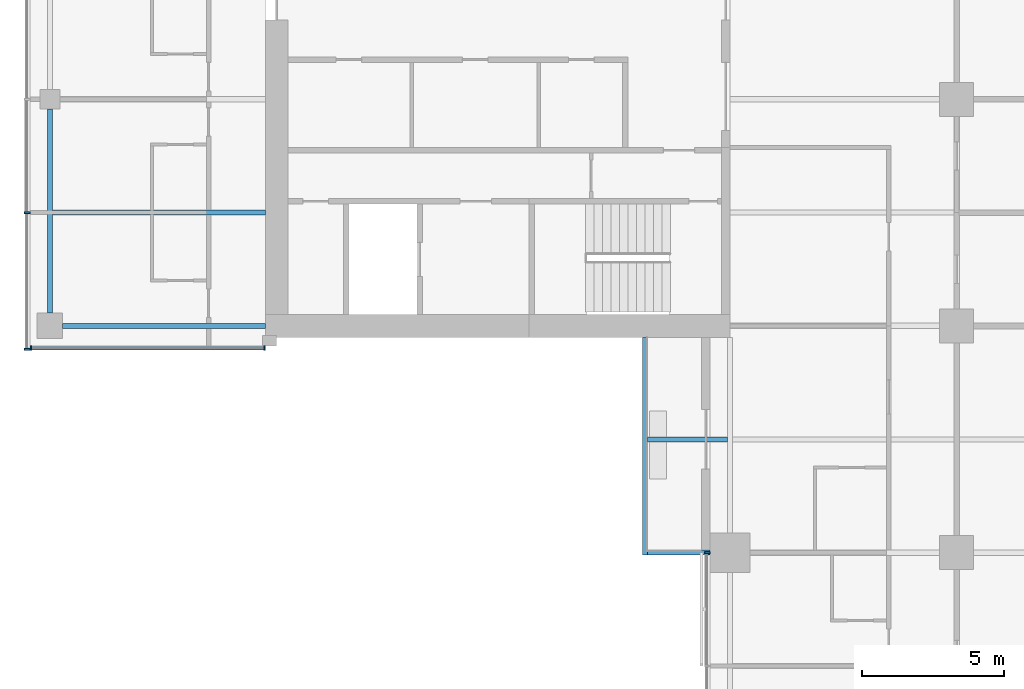
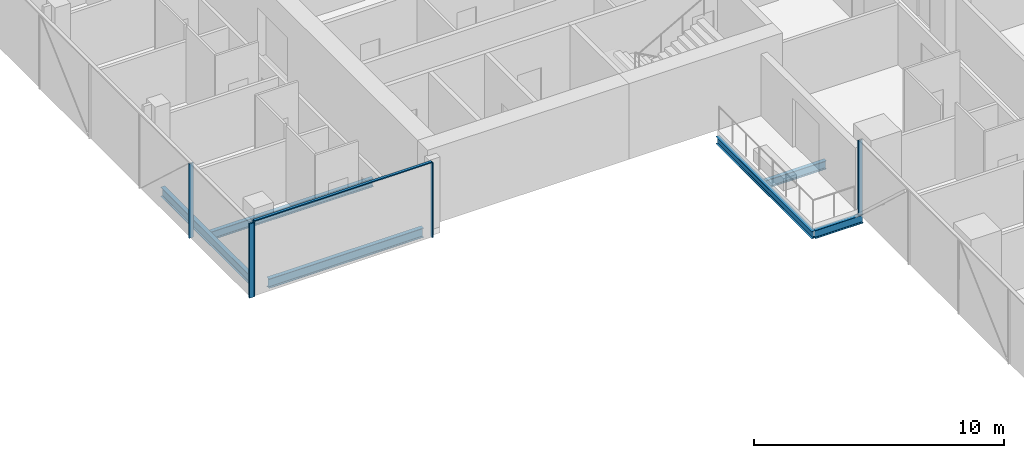
# One storey, part 3 of 27: 6 beams, 6 members, 3 elements without a shape of their own.
"""IFC4 building model written with IfcOpenShell, lengths in metres."""

from ifc_helpers import new_model, si_unit, direction, frame, origin, origin_2d, place, context, subcontext, project, spatial, rectangle, i_section, extrude, material, material_profile, profile_set, type_object, element, aggregate, save


model = new_model("IFC4")

# Units and contexts
model_context = context("Model", 3, precision=1e-05, world=origin(), true_north=direction((0.0, 1.0)))
body_context = subcontext(model_context, "Body", "Model", "MODEL_VIEW")
ifc_project = project(units=[si_unit("LENGTHUNIT", "METRE"), si_unit("AREAUNIT", "SQUARE_METRE"), si_unit("VOLUMEUNIT", "CUBIC_METRE"), si_unit("PLANEANGLEUNIT", "RADIAN"), si_unit("MASSUNIT", "GRAM", prefix="KILO")], contexts=[model_context])

# Site, building, storey
site_placement = place(None, origin())
site = spatial("IfcSite", under=ifc_project, at=site_placement, CompositionType="ELEMENT")
building_placement = place(site_placement, origin())
building = spatial("IfcBuilding", under=site, at=building_placement, Name="Crosswind Convention Tower", CompositionType="ELEMENT")
storey_placement = place(building_placement, frame((0.0, 0.0, 68.300048828125)))
storey = spatial("IfcBuildingStorey", under=building, at=storey_placement, Name="L11", CompositionType="ELEMENT", Elevation=68.300048828125)

# Beams
ifc_material_1 = material(Name="Steel S355", Category="steel")
ifc_material_profile_1 = material_profile(ifc_material_1, i_section(OverallWidth=0.177734375, OverallDepth=0.406494140625, WebThickness=0.0078125, FlangeThickness=0.0126953125, FilletRadius=0.01025390625, at=origin_2d()), Name="UB 406x178x60")
ifc_profile_set_1 = profile_set([ifc_material_profile_1], Name="Steel S355")
beam_type_1 = type_object("IfcBeamType", Name="Balcony cantilever UB 406x178x60", PredefinedType="BEAM", material=ifc_profile_set_1)
beam_1_placement = place(storey_placement, frame((112.90478515625, 84.0, -0.483154296875), z_axis=(-1.0, 0.0, 0.0), x_axis=(0.0, -1.0, 0.0)))
element("IfcBeam", 1, at=beam_1_placement, inside=storey, type_object=beam_type_1, Name="B35 L11 balcony cantilever SW 7", PredefinedType="BEAM", context=body_context, shape_type="SweptSolid", body=[
    extrude(i_section(OverallWidth=0.177734375, OverallDepth=0.406494140625, WebThickness=0.0078125, FlangeThickness=0.0126953125, FilletRadius=0.01025390625, at=origin_2d()), origin(), (0.0, 0.0, 1.0), 2.8193359375),
])
beam_2_placement = place(storey_placement, frame((112.300048828125, 80.0, -0.483154296875), z_axis=(-1.0, 0.0, 0.0), x_axis=(0.0, -1.0, 0.0)))
element("IfcBeam", 2, at=beam_2_placement, inside=storey, type_object=beam_type_1, Name="B35 L11 balcony cantilever SW 8", PredefinedType="BEAM", context=body_context, shape_type="SweptSolid", body=[
    extrude(i_section(OverallWidth=0.177734375, OverallDepth=0.406494140625, WebThickness=0.0078125, FlangeThickness=0.0126953125, FilletRadius=0.01025390625, at=origin_2d()), origin(), (0.0, 0.0, 1.0), 2.214599609375),
])
ifc_material_profile_2 = material_profile(ifc_material_1, i_section(OverallWidth=0.1708984375, OverallDepth=0.35205078125, WebThickness=0.0068359375, FlangeThickness=0.009765625, FilletRadius=0.01025390625, at=origin_2d()), Name="UB 356x171x45")
ifc_profile_set_2 = profile_set([ifc_material_profile_2], Name="Steel S355")
beam_type_2 = type_object("IfcBeamType", Name="Balcony edge beam UB 356x171x45", PredefinedType="BEAM", material=ifc_profile_set_2)
beam_3_placement = place(storey_placement, frame((110.0, 87.60009765625, -0.4560546875), z_axis=(0.0, -1.0, 0.0), x_axis=(1.0, 0.0, 0.0)))
element("IfcBeam", 3, at=beam_3_placement, inside=storey, type_object=beam_type_2, Name="B37 L11 balcony edge beam SW 9", PredefinedType="BEAM", context=body_context, shape_type="SweptSolid", body=[
    extrude(i_section(OverallWidth=0.1708984375, OverallDepth=0.35205078125, WebThickness=0.0068359375, FlangeThickness=0.009765625, FilletRadius=0.01025390625, at=origin_2d()), origin(), (0.0, 0.0, 1.0), 7.68896484375),
])
ifc_material_profile_3 = material_profile(ifc_material_1, i_section(OverallWidth=0.1904296875, OverallDepth=0.457275390625, WebThickness=0.009033203125, FlangeThickness=0.014404296875, FilletRadius=0.01025390625, at=origin_2d()), Name="UB 457x191x75")
ifc_profile_set_3 = profile_set([ifc_material_profile_3], Name="Steel S355")
beam_type_3 = type_object("IfcBeamType", Name="Edge beam UB 457x191x75", PredefinedType="SPANDREL", material=ifc_profile_set_3)
beam_4_placement = place(storey_placement, frame((89.0, 88.449951171875, -0.508544921875), z_axis=(0.0, 1.0, 0.0), x_axis=(-1.0, 0.0, 0.0)))
element("IfcBeam", 4, at=beam_4_placement, inside=storey, type_object=beam_type_3, Name="B17 L11 edge beam 1", PredefinedType="SPANDREL", context=body_context, shape_type="SweptSolid", body=[
    extrude(i_section(OverallWidth=0.1904296875, OverallDepth=0.457275390625, WebThickness=0.009033203125, FlangeThickness=0.014404296875, FilletRadius=0.01025390625, at=origin_2d()), origin(), (0.0, 0.0, 1.0), 7.199951171875),
])
beam_5_placement = place(storey_placement, frame((89.449951171875, 88.0, -0.508544921875), z_axis=(1.0, 0.0, 0.0), x_axis=(0.0, 1.0, 0.0)))
element("IfcBeam", 5, at=beam_5_placement, inside=storey, type_object=beam_type_3, Name="B17 L11 edge beam 4", PredefinedType="SPANDREL", context=body_context, shape_type="SweptSolid", body=[
    extrude(i_section(OverallWidth=0.1904296875, OverallDepth=0.457275390625, WebThickness=0.009033203125, FlangeThickness=0.014404296875, FilletRadius=0.01025390625, at=origin_2d()), origin(), (0.0, 0.0, 1.0), 7.150146484375),
])

# Curtain wall, members
ifc_material_2 = material(Name="Aluminium unitised curtain wall", Category="aluminium")
curtain_wall_type_1 = type_object("IfcCurtainWallType", Name="CORE END SLOT WALL 160", PredefinedType="USERDEFINED", material=ifc_material_2)
curtain_wall_1_placement = place(storey_placement, origin())
curtain_wall_1 = element("IfcCurtainWall", 6, at=curtain_wall_1_placement, inside=storey, type_object=curtain_wall_type_1, Name="CW6 L11 W-S.1-1 slot", ObjectType="UNITISED", PredefinedType="USERDEFINED")
ifc_material_3 = material(Name="Aluminium mullion", Category="aluminium")
ifc_material_profile_4 = material_profile(ifc_material_3, rectangle(XDim=0.159912109375, YDim=0.050048828125, at=origin_2d()), Name="AL 160X50")
ifc_profile_set_4 = profile_set([ifc_material_profile_4], Name="Aluminium mullion")
member_type_1 = type_object("IfcMemberType", Name="MULLION 50X160", PredefinedType="MULLION", material=ifc_profile_set_4)
member_1_placement = place(storey_placement, frame((88.324951171875, 87.219970703125, -0.280029296875), z_axis=(0.0, 0.0, 1.0), x_axis=(0.0, -1.0, 0.0)))
member_1 = element("IfcMember", 7, at=member_1_placement, type_object=member_type_1, Name="CW6 mullion 1", PredefinedType="MULLION", context=body_context, shape_type="SweptSolid", body=[
    extrude(rectangle(XDim=0.159912109375, YDim=0.050048828125, at=origin_2d()), origin(), (0.0, 0.0, 1.0), 3.64990234375),
])
member_2_placement = place(storey_placement, frame((96.574951171875, 87.219970703125, -0.280029296875), z_axis=(0.0, 0.0, 1.0), x_axis=(0.0, -1.0, 0.0)))
member_2 = element("IfcMember", 8, at=member_2_placement, type_object=member_type_1, Name="CW6 mullion 2", PredefinedType="MULLION", context=body_context, shape_type="SweptSolid", body=[
    extrude(rectangle(XDim=0.159912109375, YDim=0.050048828125, at=origin_2d()), origin(), (0.0, 0.0, 1.0), 3.64990234375),
])

curtain_wall_type_2 = type_object("IfcCurtainWallType", Name="HOTEL UNITISED WALL 200", PredefinedType="USERDEFINED", material=ifc_material_2)
curtain_wall_2_placement = place(storey_placement, origin())
curtain_wall_2 = element("IfcCurtainWall", 9, at=curtain_wall_2_placement, inside=storey, type_object=curtain_wall_type_2, Name="CW2 L11 W-TIP 1", ObjectType="UNITISED", PredefinedType="USERDEFINED")
ifc_material_profile_5 = material_profile(ifc_material_3, rectangle(XDim=0.199951171875, YDim=0.06494140625, at=origin_2d()), Name="AL 200X65")
ifc_profile_set_5 = profile_set([ifc_material_profile_5], Name="Aluminium mullion")
member_type_2 = type_object("IfcMemberType", Name="MULLION 65X200", PredefinedType="MULLION", material=ifc_profile_set_5)
member_3_placement = place(storey_placement, frame((88.199951171875, 92.0, -0.280029296875), z_axis=(0.0, 0.0, 1.0), x_axis=(-1.0, 0.0, 0.0)))
member_3 = element("IfcMember", 10, at=member_3_placement, type_object=member_type_2, Name="CW2 mullion 6", PredefinedType="MULLION", context=body_context, shape_type="SweptSolid", body=[
    extrude(rectangle(XDim=0.199951171875, YDim=0.06494140625, at=origin_2d()), origin(), (0.0, 0.0, 1.0), 3.635009765625),
])
member_4_placement = place(storey_placement, frame((88.199951171875, 87.172607421875, -0.280029296875), z_axis=(0.0, 0.0, 1.0), x_axis=(-1.0, 0.0, 0.0)))
member_4 = element("IfcMember", 11, at=member_4_placement, type_object=member_type_2, Name="CW2 mullion 7", PredefinedType="MULLION", context=body_context, shape_type="SweptSolid", body=[
    extrude(rectangle(XDim=0.199951171875, YDim=0.06494140625, at=origin_2d()), origin(), (0.0, 0.0, 1.0), 3.635009765625),
])
aggregate(curtain_wall_2, [member_3, member_4])

# Curtain wall, member
curtain_wall_3_placement = place(storey_placement, origin())
curtain_wall_3 = element("IfcCurtainWall", 12, at=curtain_wall_3_placement, inside=storey, type_object=curtain_wall_type_2, Name="CW2 L11 S-W 1", ObjectType="UNITISED", PredefinedType="USERDEFINED")
member_5_placement = place(storey_placement, frame((112.199951171875, 80.0, -0.280029296875), z_axis=(0.0, 0.0, 1.0), x_axis=(-1.0, 0.0, 0.0)))
member_5 = element("IfcMember", 13, at=member_5_placement, type_object=member_type_2, Name="CW2 mullion 1", PredefinedType="MULLION", context=body_context, shape_type="SweptSolid", body=[
    extrude(rectangle(XDim=0.199951171875, YDim=0.06494140625, at=origin_2d()), origin(), (0.0, 0.0, 1.0), 3.635009765625),
])
aggregate(curtain_wall_3, [member_5])

# Beam
ifc_material_profile_6 = material_profile(ifc_material_1, i_section(OverallWidth=0.177734375, OverallDepth=0.406494140625, WebThickness=0.0078125, FlangeThickness=0.0126953125, FilletRadius=0.01025390625, at=origin_2d()), Name="UB 406x178x60")
ifc_profile_set_6 = profile_set([ifc_material_profile_6], Name="Steel S355")
beam_type_4 = type_object("IfcBeamType", Name="Secondary beam UB 406x178x60", PredefinedType="JOIST", material=ifc_profile_set_6)
beam_6_placement = place(storey_placement, frame((89.09521484375, 92.0, -0.483154296875), z_axis=(1.0, 0.0, 0.0), x_axis=(0.0, 1.0, 0.0)))
element("IfcBeam", 14, at=beam_6_placement, inside=storey, type_object=beam_type_4, Name="B10 L11 secondary beam 1", PredefinedType="JOIST", context=body_context, shape_type="SweptSolid", body=[
    extrude(i_section(OverallWidth=0.177734375, OverallDepth=0.406494140625, WebThickness=0.0078125, FlangeThickness=0.0126953125, FilletRadius=0.01025390625, at=origin_2d()), origin(), (0.0, 0.0, 1.0), 7.5048828125),
])

# Member
ifc_material_4 = material(Name="Aluminium transom", Category="aluminium")
ifc_material_profile_7 = material_profile(ifc_material_4, rectangle(XDim=0.1201171875, YDim=0.050048828125, at=origin_2d()), Name="AL 120X50")
ifc_profile_set_7 = profile_set([ifc_material_profile_7], Name="Aluminium transom")
member_type_3 = type_object("IfcMemberType", Name="TRANSOM 50X120", PredefinedType="USERDEFINED", material=ifc_profile_set_7)
member_6_placement = place(storey_placement, frame((88.35009765625, 87.219970703125, 3.39501953125), z_axis=(1.0, 0.0, 0.0), x_axis=(0.0, 1.0, 0.0)))
member_6 = element("IfcMember", 15, at=member_6_placement, type_object=member_type_3, Name="CW6 transom", ObjectType="TRANSOM", PredefinedType="USERDEFINED", context=body_context, shape_type="SweptSolid", body=[
    extrude(rectangle(XDim=0.1201171875, YDim=0.050048828125, at=origin_2d()), origin(), (0.0, 0.0, 1.0), 8.199951171875),
])

aggregate(curtain_wall_1, [member_1, member_2, member_6])

save(model, "model.ifc")
